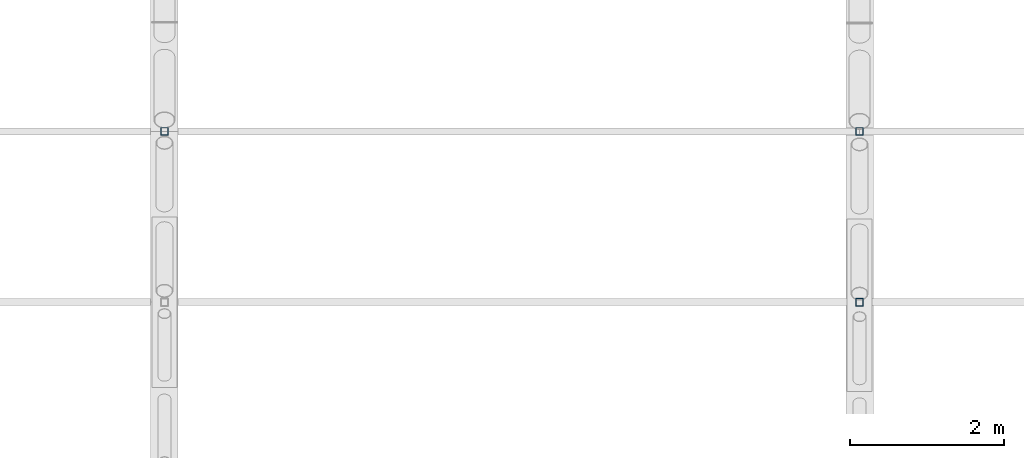
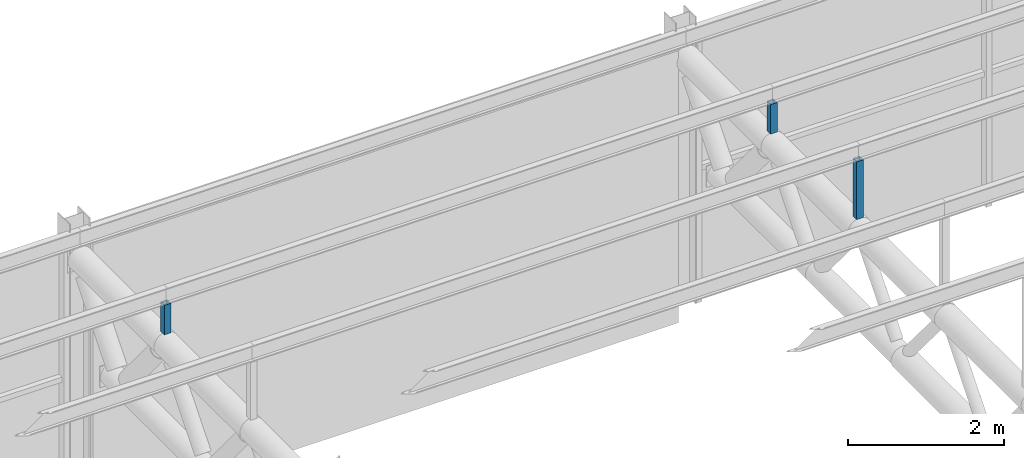
# One storey, part 97 of 138: 3 members.
"""IFC4 building model written with IfcOpenShell, lengths in metres."""

import ifcopenshell
import ifcopenshell.guid

model = None  # the IFC model being written
_history = None  # IfcOwnerHistory: only IFC2X3 demands one
_inside = {}  # id of a spatial element -> (the spatial element, [elements in it])
_under = {}  # id of a project, library or spatial element -> (it, [spatial elements below it])
_declared = {}  # id of a project -> (the project, [libraries it declares])
_typed = {}  # id of a type object -> (the type object, [elements of that type])
_made_of = {}  # id of a material, layer set ... -> (it, [elements and type objects made of it])


def new_model(schema):
    """Start an empty IFC model of exactly this schema.

    Asked for "IFC4X3", IfcOpenShell would pick the latest addendum, in which some entities
    have other attributes; the version numbers below select the first issue.
    IFC2X3 requires an IfcOwnerHistory on every rooted entity: one is made here for all.
    """
    global model, _history
    if schema == "IFC4X3":
        model = ifcopenshell.file(schema_version=(4, 3, 0, 0))
    else:
        model = ifcopenshell.file(schema=schema)
    _inside.clear()
    _under.clear()
    _declared.clear()
    _typed.clear()
    _made_of.clear()
    _history = None
    if model.schema == "IFC2X3":
        org = make("IfcOrganization", Name="unknown")
        user = make(
            "IfcPersonAndOrganization",
            ThePerson=make("IfcPerson", FamilyName="unknown"),
            TheOrganization=org,
        )
        app = make(
            "IfcApplication",
            ApplicationDeveloper=org,
            Version="unknown",
            ApplicationFullName="unknown",
            ApplicationIdentifier="unknown",
        )
        _history = make(
            "IfcOwnerHistory",
            OwningUser=user,
            OwningApplication=app,
            ChangeAction="ADDED",
            CreationDate=0,
        )
    return model


def make(cls, **values):
    """One entity of the class cls with the attributes given. An attribute that is None is left unset."""
    return model.create_entity(
        cls, **{name: value for name, value in values.items() if value is not None}
    )


def rooted(cls, **values):
    """An entity with a GlobalId (a new one), such as an element, a storey or a relation."""
    return make(cls, GlobalId=ifcopenshell.guid.new(), OwnerHistory=_history, **values)


def si_unit(unit_type, name, prefix=None):
    """IfcSIUnit, for example si_unit("LENGTHUNIT", "METRE", prefix="MILLI")."""
    return make("IfcSIUnit", UnitType=unit_type, Prefix=prefix, Name=name)


def assignment(units):
    """IfcUnitAssignment: the units of a project."""
    return None if units is None else make("IfcUnitAssignment", Units=units)


def point(xyz):
    """IfcCartesianPoint."""
    return None if xyz is None else make("IfcCartesianPoint", Coordinates=xyz)


def direction(xyz):
    """IfcDirection."""
    return None if xyz is None else make("IfcDirection", DirectionRatios=xyz)


def frame(location, z_axis=None, x_axis=None):
    """IfcAxis2Placement3D, a coordinate frame: its origin and axes. An axis left out is left unset."""
    return make(
        "IfcAxis2Placement3D",
        Location=point(location),
        Axis=direction(z_axis),
        RefDirection=direction(x_axis),
    )


def frame_2d(location, x_axis=None):
    """IfcAxis2Placement2D, a coordinate frame in the plane: its origin and x axis."""
    return make(
        "IfcAxis2Placement2D", Location=point(location), RefDirection=direction(x_axis)
    )


def origin():
    """The frame at (0, 0, 0) with its axes left unset."""
    return frame((0.0, 0.0, 0.0))


def origin_2d():
    """The frame at (0, 0) in the plane with its x axis left unset."""
    return frame_2d((0.0, 0.0))


def place(relative_to, where):
    """IfcLocalPlacement: puts the frame where relative to a parent placement (None: the world)."""
    return make(
        "IfcLocalPlacement", PlacementRelTo=relative_to, RelativePlacement=where
    )


def context(
    kind, dimensions, precision=None, world=None, true_north=None, identifier=None
):
    """IfcGeometricRepresentationContext, for example the 3D "Model" context."""
    return make(
        "IfcGeometricRepresentationContext",
        ContextIdentifier=identifier,
        ContextType=kind,
        CoordinateSpaceDimension=dimensions,
        Precision=precision,
        WorldCoordinateSystem=world,
        TrueNorth=true_north,
    )


def subcontext(parent, identifier, kind, view, scale=None):
    """IfcGeometricRepresentationSubContext, for example "Body" below "Model"."""
    return make(
        "IfcGeometricRepresentationSubContext",
        ContextIdentifier=identifier,
        ContextType=kind,
        ParentContext=parent,
        TargetScale=scale,
        TargetView=view,
    )


def project(units=None, contexts=None):
    """IfcProject with its units and contexts."""
    return rooted(
        "IfcProject",
        Name="project",
        RepresentationContexts=contexts,
        UnitsInContext=assignment(units),
    )


def spatial(cls, under=None, at=None, **own):
    """A site, building, storey or space (cls), placed at a placement, below another one or the project."""
    s = rooted(cls, ObjectPlacement=at, **own)
    if under is not None:
        _under.setdefault(under.id(), (under, []))[1].append(s)
    return s


def profile(cls, at=None, kind="AREA", **sizes):
    """A parametric profile (cls). Its sizes go by their IFC names, for example OverallWidth=200.0."""
    return make(cls, ProfileType=kind, Position=at, **sizes)


def hollow_rectangle(**sizes):
    """IfcRectangleHollowProfileDef."""
    return profile("IfcRectangleHollowProfileDef", **sizes)


def extrude(swept, where, along, depth):
    """IfcExtrudedAreaSolid: the profile swept, set in the frame where, extruded along a direction by depth."""
    return make(
        "IfcExtrudedAreaSolid",
        SweptArea=swept,
        Position=where,
        ExtrudedDirection=direction(along),
        Depth=depth,
    )


def shape(context_of_items, identifier, shape_type, items):
    """IfcShapeRepresentation: the items that make up one representation, for example the "Body"."""
    return make(
        "IfcShapeRepresentation",
        ContextOfItems=context_of_items,
        RepresentationIdentifier=identifier,
        RepresentationType=shape_type,
        Items=items,
    )


def material(Name=None, Category=None):
    """IfcMaterial."""
    return make("IfcMaterial", Name=Name, Category=Category)


def material_profile(
    of_material, cross_section, Name=None, Category=None, Priority=None
):
    """IfcMaterialProfile: a cross section and its material."""
    return make(
        "IfcMaterialProfile",
        Name=Name,
        Material=of_material,
        Profile=cross_section,
        Priority=Priority,
        Category=Category,
    )


def profile_set(profiles, Name=None, composite=None):
    """IfcMaterialProfileSet."""
    return make(
        "IfcMaterialProfileSet",
        Name=Name,
        MaterialProfiles=profiles,
        CompositeProfile=composite,
    )


def made_of(thing, what):
    """Note that an element or type object is made of a material, layer set ...; save() writes the relation."""
    if what is not None:
        _made_of.setdefault(what.id(), (what, []))[1].append(thing)
    return thing


def type_object(cls, material=None, **own):
    """A type object (cls), such as IfcWallType, which elements share."""
    return made_of(rooted(cls, **own), material)


def element(
    cls,
    number,
    at=None,
    inside=None,
    cuts=None,
    type_object=None,
    material=None,
    context=None,
    identifier="Body",
    shape_type=None,
    held_by="IfcProductDefinitionShape",
    body=None,
    shapes=None,
    **own,
):
    """One element of the class cls, such as IfcWall. Its Tag is "e" and its number.

    at: its placement. inside: the storey or other place that contains it. cuts: it is an
    opening in that element (IfcRelVoidsElement). A single representation is given by context,
    identifier, shape_type and body (its items); several are given by shapes. held_by: the class
    of the entity that holds the representations. save() writes the other relations.
    """
    e = rooted(cls, Tag="e%d" % number, ObjectPlacement=at, **own)
    if body is not None:
        shapes = [shape(context, identifier, shape_type, body)]
    if shapes is not None:
        e.Representation = make(held_by, Representations=shapes)
    if inside is not None:
        _inside.setdefault(inside.id(), (inside, []))[1].append(e)
    if cuts is not None:
        rooted(
            "IfcRelVoidsElement", RelatingBuildingElement=cuts, RelatedOpeningElement=e
        )
    if type_object is not None:
        _typed.setdefault(type_object.id(), (type_object, []))[1].append(e)
    return made_of(e, material)


def aggregate(whole, parts):
    """IfcRelAggregates: a whole, such as a stair, and the parts it consists of."""
    return rooted("IfcRelAggregates", RelatingObject=whole, RelatedObjects=parts)


def save(model, path):
    """Write the relations noted so far, then the file.

    IfcRelAggregates (storeys below a building ...), IfcRelContainedInSpatialStructure (elements
    in a storey), IfcRelDefinesByType, IfcRelAssociatesMaterial and IfcRelDeclares: one each for
    every whole, place, type object, material and project.
    """
    for whole, parts in _under.values():
        aggregate(whole, parts)
    for where, things in _inside.values():
        rooted(
            "IfcRelContainedInSpatialStructure",
            RelatedElements=things,
            RelatingStructure=where,
        )
    for kind, things in _typed.values():
        rooted("IfcRelDefinesByType", RelatedObjects=things, RelatingType=kind)
    for what, things in _made_of.values():
        rooted("IfcRelAssociatesMaterial", RelatedObjects=things, RelatingMaterial=what)
    for by, libraries in _declared.values():
        rooted("IfcRelDeclares", RelatingContext=by, RelatedDefinitions=libraries)
    model.write(path)


model = new_model("IFC4")

# Units and contexts
model_context = context("Model", 3, precision=1e-05, world=origin(), true_north=direction((0.0, 1.0)))
body_context = subcontext(model_context, "Body", "Model", "MODEL_VIEW")
ifc_project = project(units=[si_unit("LENGTHUNIT", "METRE"), si_unit("AREAUNIT", "SQUARE_METRE"), si_unit("VOLUMEUNIT", "CUBIC_METRE"), si_unit("PLANEANGLEUNIT", "RADIAN"), si_unit("MASSUNIT", "GRAM", prefix="KILO")], contexts=[model_context])

# Site, building, storey
site_placement = place(None, origin())
site = spatial("IfcSite", under=ifc_project, at=site_placement, CompositionType="ELEMENT")
building_placement = place(site_placement, origin())
building = spatial("IfcBuilding", under=site, at=building_placement, Name="Corbel Yard City Hall", CompositionType="ELEMENT")
storey_placement = place(building_placement, frame((0.0, 0.0, 10.5)))
storey = spatial("IfcBuildingStorey", under=building, at=storey_placement, Name="L02", CompositionType="ELEMENT", Elevation=10.5)

# Members
ifc_material = material(Name="Steel Grade C450L0", Category="steel")
ifc_material_profile = material_profile(ifc_material, hollow_rectangle(XDim=0.10009765625, YDim=0.10009765625, WallThickness=0.006103515625, at=origin_2d()), Name="100x100x6.0SHS")
ifc_profile_set = profile_set([ifc_material_profile], Name="Steel Grade C450L0")
member_type = type_object("IfcMemberType", Name="Roof post 100x100x6.0SHS", PredefinedType="POST", material=ifc_profile_set)
member_1_placement = place(storey_placement, frame((144.0, 24.6357421875, 4.10009765625), z_axis=(0.0, 0.0, 1.0), x_axis=(1.0, 0.0, 0.0)))
element("IfcMember", 1, at=member_1_placement, inside=storey, type_object=member_type, Name="Roof post 100x100x6.0SHS RP3", PredefinedType="POST", context=body_context, shape_type="SweptSolid", body=[
    extrude(hollow_rectangle(XDim=0.10009765625, YDim=0.10009765625, WallThickness=0.006103515625, at=origin_2d()), origin(), (0.0, 0.0, 1.0), 0.4638671875),
])
member_2_placement = place(storey_placement, frame((153.0, 22.423828125, 4.10009765625), z_axis=(0.0, 0.0, 1.0), x_axis=(1.0, 0.0, 0.0)))
element("IfcMember", 2, at=member_2_placement, inside=storey, type_object=member_type, Name="Roof post 100x100x6.0SHS RP3", PredefinedType="POST", context=body_context, shape_type="SweptSolid", body=[
    extrude(hollow_rectangle(XDim=0.10009765625, YDim=0.10009765625, WallThickness=0.006103515625, at=origin_2d()), origin(), (0.0, 0.0, 1.0), 0.90625),
])
member_3_placement = place(storey_placement, frame((153.0, 24.6357421875, 4.10009765625), z_axis=(0.0, 0.0, 1.0), x_axis=(1.0, 0.0, 0.0)))
element("IfcMember", 3, at=member_3_placement, inside=storey, type_object=member_type, Name="Roof post 100x100x6.0SHS RP3", PredefinedType="POST", context=body_context, shape_type="SweptSolid", body=[
    extrude(hollow_rectangle(XDim=0.10009765625, YDim=0.10009765625, WallThickness=0.006103515625, at=origin_2d()), origin(), (0.0, 0.0, 1.0), 0.4638671875),
])

save(model, "model.ifc")
